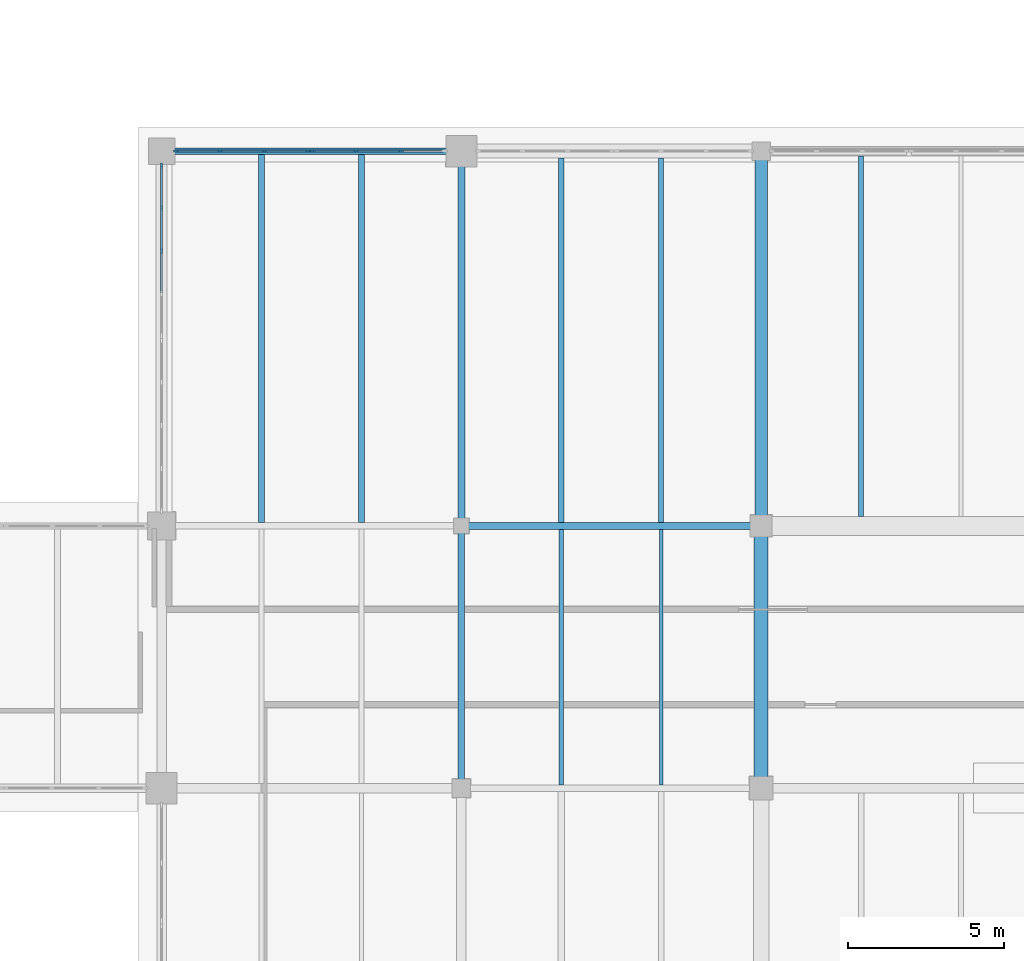
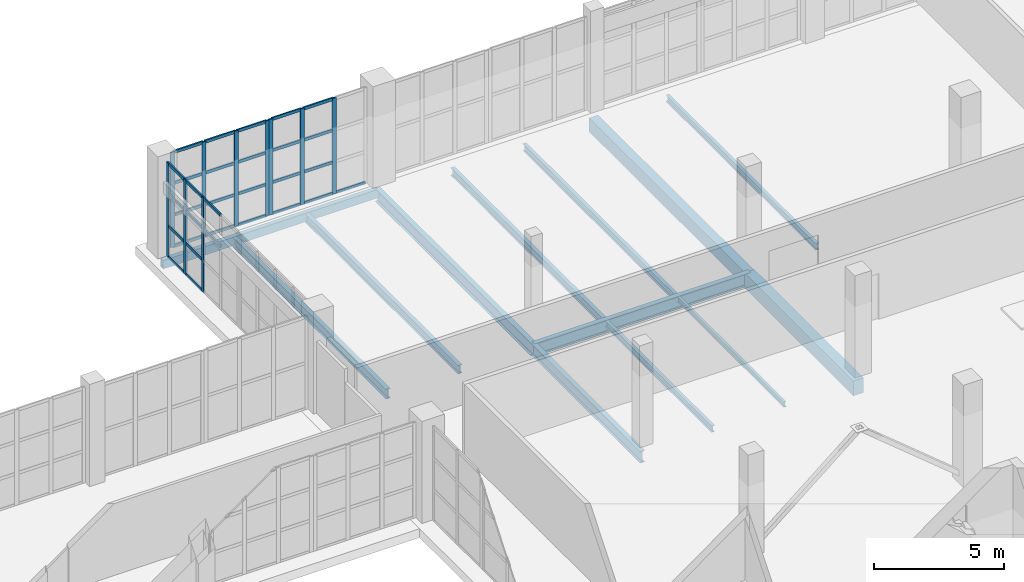
# One storey, part 23 of 121: 41 members, 13 beams, 3 elements without a shape of their own.
"""IFC4 building model written with IfcOpenShell, lengths in metres."""

from ifc_helpers import new_model, si_unit, direction, frame, origin, origin_2d, place, context, subcontext, project, spatial, rectangle, hollow_rectangle, i_section, extrude, material, layer, layer_set, material_profile, profile_set, type_object, element, aggregate, save


model = new_model("IFC4")

# Units and contexts
model_context = context("Model", 3, precision=1e-05, world=origin(), true_north=direction((0.0, 1.0)))
body_context = subcontext(model_context, "Body", "Model", "MODEL_VIEW")
ifc_project = project(units=[si_unit("LENGTHUNIT", "METRE"), si_unit("AREAUNIT", "SQUARE_METRE"), si_unit("VOLUMEUNIT", "CUBIC_METRE"), si_unit("PLANEANGLEUNIT", "RADIAN"), si_unit("MASSUNIT", "GRAM", prefix="KILO")], contexts=[model_context])

# Site, building, storey
site_placement = place(None, origin())
site = spatial("IfcSite", under=ifc_project, at=site_placement, CompositionType="ELEMENT")
building_placement = place(site_placement, origin())
building = spatial("IfcBuilding", under=site, at=building_placement, Name="Zereglee Splitstone Museum", CompositionType="ELEMENT")
storey_placement = place(building_placement, origin())
storey = spatial("IfcBuildingStorey", under=building, at=storey_placement, Name="L00", CompositionType="ELEMENT", Elevation=0.0)

# Beams
ifc_material_1 = material(Name="Concrete C40/50", Category="concrete")
ifc_material_profile_1 = material_profile(ifc_material_1, rectangle(XDim=0.39990234375, YDim=0.64990234375, at=origin_2d()), Name="RC 400x650")
ifc_profile_set_1 = profile_set([ifc_material_profile_1], Name="Concrete C40/50")
beam_type_1 = type_object("IfcBeamType", Name="BG-04", PredefinedType="BEAM", material=ifc_profile_set_1)
beam_1_placement = place(storey_placement, frame((97.199951171875, 38.39990234375, -0.7451171875), z_axis=(0.0, 1.0, 0.0), x_axis=(-1.0, 0.0, 0.0)))
element("IfcBeam", 1, at=beam_1_placement, inside=storey, type_object=beam_type_1, Name="Primary Girder L00 12 (38.4-50.4)", PredefinedType="BEAM", context=body_context, shape_type="SweptSolid", body=[
    extrude(rectangle(XDim=0.39990234375, YDim=0.64990234375, at=origin_2d()), origin(), (0.0, 0.0, 1.0), 12.0),
])
ifc_material_profile_2 = material_profile(ifc_material_1, rectangle(XDim=0.449951171875, YDim=0.699951171875, at=origin_2d()), Name="RC 450x700")
ifc_profile_set_2 = profile_set([ifc_material_profile_2], Name="Concrete C40/50")
beam_type_2 = type_object("IfcBeamType", Name="BG-03", PredefinedType="BEAM", material=ifc_profile_set_2)
beam_2_placement = place(storey_placement, frame((97.199951171875, 30.0, -0.77001953125), z_axis=(0.0, 1.0, 0.0), x_axis=(-1.0, 0.0, 0.0)))
element("IfcBeam", 2, at=beam_2_placement, inside=storey, type_object=beam_type_2, Name="Primary Girder L00 12 (30.0-38.4)", PredefinedType="BEAM", context=body_context, shape_type="SweptSolid", body=[
    extrude(rectangle(XDim=0.449951171875, YDim=0.699951171875, at=origin_2d()), origin(), (0.0, 0.0, 1.0), 8.39990234375),
])

# Curtain wall, members
ifc_material_2 = material(Name="Triple-glazed low-E argon glass and bronze-anodised aluminium", Category="aluminium")
ifc_layer_1 = layer(ifc_material_2, 0.179931640625)
ifc_layer_set_1 = layer_set([ifc_layer_1], Name="Triple-glazed low-E argon glass and bronze-anodised aluminium")
curtain_wall_type_1 = type_object("IfcCurtainWallType", Name="CW-0429-450", PredefinedType="USERDEFINED", material=ifc_layer_set_1)
curtain_wall_1_placement = place(storey_placement, origin())
curtain_wall_1 = element("IfcCurtainWall", 3, at=curtain_wall_1_placement, inside=storey, type_object=curtain_wall_type_1, Name="Glazed Curtain Wall CW-0429-450 (L00)", ObjectType="GLAZED CURTAIN WALL", PredefinedType="USERDEFINED")
ifc_material_3 = material(Name="Thermally broken bronze-anodised aluminium", Category="aluminium")
ifc_material_profile_3 = material_profile(ifc_material_3, rectangle(XDim=0.06494140625, YDim=0.179931640625, at=origin_2d()), Name="CW MULL 65x180")
ifc_profile_set_3 = profile_set([ifc_material_profile_3], Name="Thermally broken bronze-anodised aluminium")
member_type_1 = type_object("IfcMemberType", Name="CWM-01", PredefinedType="MULLION", material=ifc_profile_set_3)
member_1_placement = place(storey_placement, frame((85.662109375, 50.39990234375, 0.0), z_axis=(0.0, 0.0, 1.0), x_axis=(0.0, -1.0, 0.0)))
member_1 = element("IfcMember", 4, at=member_1_placement, type_object=member_type_1, Name="CW-0429-450 mullion 2", PredefinedType="MULLION", context=body_context, shape_type="SweptSolid", body=[
    extrude(rectangle(XDim=0.06494140625, YDim=0.179931640625, at=origin_2d()), origin(), (0.0, 0.0, 1.0), 4.5),
])
member_2_placement = place(storey_placement, frame((84.232421875, 50.39990234375, 0.0), z_axis=(0.0, 0.0, 1.0), x_axis=(0.0, -1.0, 0.0)))
member_2 = element("IfcMember", 5, at=member_2_placement, type_object=member_type_1, Name="CW-0429-450 mullion 3", PredefinedType="MULLION", context=body_context, shape_type="SweptSolid", body=[
    extrude(rectangle(XDim=0.06494140625, YDim=0.179931640625, at=origin_2d()), origin(), (0.0, 0.0, 1.0), 4.5),
])
member_3_placement = place(storey_placement, frame((82.8349609375, 50.39990234375, 0.0), z_axis=(0.0, 0.0, 1.0), x_axis=(0.0, -1.0, 0.0)))
member_3 = element("IfcMember", 6, at=member_3_placement, type_object=member_type_1, Name="CW-0429-450 mullion 4", PredefinedType="MULLION", context=body_context, shape_type="SweptSolid", body=[
    extrude(rectangle(XDim=0.06494140625, YDim=0.179931640625, at=origin_2d()), origin(), (0.0, 0.0, 1.0), 4.5),
])

ifc_layer_2 = layer(ifc_material_2, 0.179931640625)
ifc_layer_set_2 = layer_set([ifc_layer_2], Name="Triple-glazed low-E argon glass and bronze-anodised aluminium")
curtain_wall_type_2 = type_object("IfcCurtainWallType", Name="CW-0429-448", PredefinedType="USERDEFINED", material=ifc_layer_set_2)
curtain_wall_2_placement = place(storey_placement, origin())
curtain_wall_2 = element("IfcCurtainWall", 7, at=curtain_wall_2_placement, inside=storey, type_object=curtain_wall_type_2, Name="Glazed Curtain Wall CW-0429-448 (L00)", ObjectType="GLAZED CURTAIN WALL", PredefinedType="USERDEFINED")
member_4_placement = place(storey_placement, frame((82.68994140625, 50.39990234375, 0.0), z_axis=(0.0, 0.0, 1.0), x_axis=(0.0, -1.0, 0.0)))
member_4 = element("IfcMember", 8, at=member_4_placement, type_object=member_type_1, Name="CW-0429-448 mullion 1", PredefinedType="MULLION", context=body_context, shape_type="SweptSolid", body=[
    extrude(rectangle(XDim=0.06494140625, YDim=0.179931640625, at=origin_2d()), origin(), (0.0, 0.0, 1.0), 4.47998046875),
])
member_5_placement = place(storey_placement, frame((81.292724609375, 50.39990234375, 0.0), z_axis=(0.0, 0.0, 1.0), x_axis=(0.0, -1.0, 0.0)))
member_5 = element("IfcMember", 9, at=member_5_placement, type_object=member_type_1, Name="CW-0429-448 mullion 2", PredefinedType="MULLION", context=body_context, shape_type="SweptSolid", body=[
    extrude(rectangle(XDim=0.06494140625, YDim=0.179931640625, at=origin_2d()), origin(), (0.0, 0.0, 1.0), 4.47998046875),
])
member_6_placement = place(storey_placement, frame((79.86279296875, 50.39990234375, 0.0), z_axis=(0.0, 0.0, 1.0), x_axis=(0.0, -1.0, 0.0)))
member_6 = element("IfcMember", 10, at=member_6_placement, type_object=member_type_1, Name="CW-0429-448 mullion 3", PredefinedType="MULLION", context=body_context, shape_type="SweptSolid", body=[
    extrude(rectangle(XDim=0.06494140625, YDim=0.179931640625, at=origin_2d()), origin(), (0.0, 0.0, 1.0), 4.47998046875),
])
member_7_placement = place(storey_placement, frame((78.465576171875, 50.39990234375, 0.0), z_axis=(0.0, 0.0, 1.0), x_axis=(0.0, -1.0, 0.0)))
member_7 = element("IfcMember", 11, at=member_7_placement, type_object=member_type_1, Name="CW-0429-448 mullion 4", PredefinedType="MULLION", context=body_context, shape_type="SweptSolid", body=[
    extrude(rectangle(XDim=0.06494140625, YDim=0.179931640625, at=origin_2d()), origin(), (0.0, 0.0, 1.0), 4.47998046875),
])

ifc_layer_3 = layer(ifc_material_2, 0.179931640625)
ifc_layer_set_3 = layer_set([ifc_layer_3], Name="Triple-glazed low-E argon glass and bronze-anodised aluminium")
curtain_wall_type_3 = type_object("IfcCurtainWallType", Name="CW-0551-444", PredefinedType="USERDEFINED", material=ifc_layer_set_3)
curtain_wall_3_placement = place(storey_placement, origin())
curtain_wall_3 = element("IfcCurtainWall", 12, at=curtain_wall_3_placement, inside=storey, type_object=curtain_wall_type_3, Name="Glazed Curtain Wall CW-0551-444 (L00)", ObjectType="GLAZED CURTAIN WALL", PredefinedType="USERDEFINED")
member_8_placement = place(storey_placement, frame((78.0, 49.9345703125, 0.0), z_axis=(0.0, 0.0, 1.0), x_axis=(1.0, 0.0, 0.0)))
member_8 = element("IfcMember", 13, at=member_8_placement, type_object=member_type_1, Name="CW-0551-444 mullion 1", PredefinedType="MULLION", context=body_context, shape_type="SweptSolid", body=[
    extrude(rectangle(XDim=0.06494140625, YDim=0.179931640625, at=origin_2d()), origin(), (0.0, 0.0, 1.0), 4.43994140625),
])
member_9_placement = place(storey_placement, frame((78.0, 48.58837890625, 0.0), z_axis=(0.0, 0.0, 1.0), x_axis=(1.0, 0.0, 0.0)))
member_9 = element("IfcMember", 14, at=member_9_placement, type_object=member_type_1, Name="CW-0551-444 mullion 2", PredefinedType="MULLION", context=body_context, shape_type="SweptSolid", body=[
    extrude(rectangle(XDim=0.06494140625, YDim=0.179931640625, at=origin_2d()), origin(), (0.0, 0.0, 1.0), 4.43994140625),
])
member_10_placement = place(storey_placement, frame((78.0, 47.209716796875, 0.0), z_axis=(0.0, 0.0, 1.0), x_axis=(1.0, 0.0, 0.0)))
member_10 = element("IfcMember", 15, at=member_10_placement, type_object=member_type_1, Name="CW-0551-444 mullion 3", PredefinedType="MULLION", context=body_context, shape_type="SweptSolid", body=[
    extrude(rectangle(XDim=0.06494140625, YDim=0.179931640625, at=origin_2d()), origin(), (0.0, 0.0, 1.0), 4.43994140625),
])

# Member
ifc_material_profile_4 = material_profile(ifc_material_3, rectangle(XDim=0.06494140625, YDim=0.139892578125, at=origin_2d()), Name="CW TRAN 65x140")
ifc_profile_set_4 = profile_set([ifc_material_profile_4], Name="Thermally broken bronze-anodised aluminium")
member_type_2 = type_object("IfcMemberType", Name="CWT-01", PredefinedType="USERDEFINED", material=ifc_profile_set_4)
member_11_placement = place(storey_placement, frame((87.027099609375, 50.39990234375, 0.032470703125), z_axis=(-1.0, 0.0, 0.0), x_axis=(0.0, -1.0, 0.0)))
member_11 = element("IfcMember", 16, at=member_11_placement, type_object=member_type_2, Name="CW-0429-450 transom 1.1", ObjectType="TRANSOM", PredefinedType="USERDEFINED", context=body_context, shape_type="SweptSolid", body=[
    extrude(rectangle(XDim=0.06494140625, YDim=0.139892578125, at=origin_2d()), origin(), (0.0, 0.0, 1.0), 1.33251953125),
])

member_12_placement = place(storey_placement, frame((85.629638671875, 50.39990234375, 0.032470703125), z_axis=(-1.0, 0.0, 0.0), x_axis=(0.0, -1.0, 0.0)))
member_12 = element("IfcMember", 17, at=member_12_placement, type_object=member_type_2, Name="CW-0429-450 transom 2.1", ObjectType="TRANSOM", PredefinedType="USERDEFINED", context=body_context, shape_type="SweptSolid", body=[
    extrude(rectangle(XDim=0.06494140625, YDim=0.139892578125, at=origin_2d()), origin(), (0.0, 0.0, 1.0), 1.36474609375),
])

member_13_placement = place(storey_placement, frame((85.629638671875, 50.39990234375, 1.5), z_axis=(-1.0, 0.0, 0.0), x_axis=(0.0, -1.0, 0.0)))
member_13 = element("IfcMember", 18, at=member_13_placement, type_object=member_type_2, Name="CW-0429-450 transom 2.2", ObjectType="TRANSOM", PredefinedType="USERDEFINED", context=body_context, shape_type="SweptSolid", body=[
    extrude(rectangle(XDim=0.06494140625, YDim=0.139892578125, at=origin_2d()), origin(), (0.0, 0.0, 1.0), 1.36474609375),
])

member_14_placement = place(storey_placement, frame((85.629638671875, 50.39990234375, 3.0), z_axis=(-1.0, 0.0, 0.0), x_axis=(0.0, -1.0, 0.0)))
member_14 = element("IfcMember", 19, at=member_14_placement, type_object=member_type_2, Name="CW-0429-450 transom 2.3", ObjectType="TRANSOM", PredefinedType="USERDEFINED", context=body_context, shape_type="SweptSolid", body=[
    extrude(rectangle(XDim=0.06494140625, YDim=0.139892578125, at=origin_2d()), origin(), (0.0, 0.0, 1.0), 1.36474609375),
])

member_15_placement = place(storey_placement, frame((85.629638671875, 50.39990234375, 4.467529296875), z_axis=(-1.0, 0.0, 0.0), x_axis=(0.0, -1.0, 0.0)))
member_15 = element("IfcMember", 20, at=member_15_placement, type_object=member_type_2, Name="CW-0429-450 transom 2.4", ObjectType="TRANSOM", PredefinedType="USERDEFINED", context=body_context, shape_type="SweptSolid", body=[
    extrude(rectangle(XDim=0.06494140625, YDim=0.139892578125, at=origin_2d()), origin(), (0.0, 0.0, 1.0), 1.36474609375),
])

member_16_placement = place(storey_placement, frame((84.199951171875, 50.39990234375, 0.032470703125), z_axis=(-1.0, 0.0, 0.0), x_axis=(0.0, -1.0, 0.0)))
member_16 = element("IfcMember", 21, at=member_16_placement, type_object=member_type_2, Name="CW-0429-450 transom 3.1", ObjectType="TRANSOM", PredefinedType="USERDEFINED", context=body_context, shape_type="SweptSolid", body=[
    extrude(rectangle(XDim=0.06494140625, YDim=0.139892578125, at=origin_2d()), origin(), (0.0, 0.0, 1.0), 1.33251953125),
])

member_17_placement = place(storey_placement, frame((84.199951171875, 50.39990234375, 1.5), z_axis=(-1.0, 0.0, 0.0), x_axis=(0.0, -1.0, 0.0)))
member_17 = element("IfcMember", 22, at=member_17_placement, type_object=member_type_2, Name="CW-0429-450 transom 3.2", ObjectType="TRANSOM", PredefinedType="USERDEFINED", context=body_context, shape_type="SweptSolid", body=[
    extrude(rectangle(XDim=0.06494140625, YDim=0.139892578125, at=origin_2d()), origin(), (0.0, 0.0, 1.0), 1.33251953125),
])

member_18_placement = place(storey_placement, frame((84.199951171875, 50.39990234375, 3.0), z_axis=(-1.0, 0.0, 0.0), x_axis=(0.0, -1.0, 0.0)))
member_18 = element("IfcMember", 23, at=member_18_placement, type_object=member_type_2, Name="CW-0429-450 transom 3.3", ObjectType="TRANSOM", PredefinedType="USERDEFINED", context=body_context, shape_type="SweptSolid", body=[
    extrude(rectangle(XDim=0.06494140625, YDim=0.139892578125, at=origin_2d()), origin(), (0.0, 0.0, 1.0), 1.33251953125),
])

member_19_placement = place(storey_placement, frame((84.199951171875, 50.39990234375, 4.467529296875), z_axis=(-1.0, 0.0, 0.0), x_axis=(0.0, -1.0, 0.0)))
member_19 = element("IfcMember", 24, at=member_19_placement, type_object=member_type_2, Name="CW-0429-450 transom 3.4", ObjectType="TRANSOM", PredefinedType="USERDEFINED", context=body_context, shape_type="SweptSolid", body=[
    extrude(rectangle(XDim=0.06494140625, YDim=0.139892578125, at=origin_2d()), origin(), (0.0, 0.0, 1.0), 1.33251953125),
])

aggregate(curtain_wall_1, [member_1, member_2, member_3, member_11, member_12, member_13, member_14, member_15, member_16, member_17, member_18, member_19])

member_20_placement = place(storey_placement, frame((82.657470703125, 50.39990234375, 0.032470703125), z_axis=(-1.0, 0.0, 0.0), x_axis=(0.0, -1.0, 0.0)))
member_20 = element("IfcMember", 25, at=member_20_placement, type_object=member_type_2, Name="CW-0429-448 transom 1.1", ObjectType="TRANSOM", PredefinedType="USERDEFINED", context=body_context, shape_type="SweptSolid", body=[
    extrude(rectangle(XDim=0.06494140625, YDim=0.139892578125, at=origin_2d()), origin(), (0.0, 0.0, 1.0), 1.332275390625),
])

member_21_placement = place(storey_placement, frame((82.657470703125, 50.39990234375, 1.493408203125), z_axis=(-1.0, 0.0, 0.0), x_axis=(0.0, -1.0, 0.0)))
member_21 = element("IfcMember", 26, at=member_21_placement, type_object=member_type_2, Name="CW-0429-448 transom 1.2", ObjectType="TRANSOM", PredefinedType="USERDEFINED", context=body_context, shape_type="SweptSolid", body=[
    extrude(rectangle(XDim=0.06494140625, YDim=0.139892578125, at=origin_2d()), origin(), (0.0, 0.0, 1.0), 1.332275390625),
])

member_22_placement = place(storey_placement, frame((82.657470703125, 50.39990234375, 2.98681640625), z_axis=(-1.0, 0.0, 0.0), x_axis=(0.0, -1.0, 0.0)))
member_22 = element("IfcMember", 27, at=member_22_placement, type_object=member_type_2, Name="CW-0429-448 transom 1.3", ObjectType="TRANSOM", PredefinedType="USERDEFINED", context=body_context, shape_type="SweptSolid", body=[
    extrude(rectangle(XDim=0.06494140625, YDim=0.139892578125, at=origin_2d()), origin(), (0.0, 0.0, 1.0), 1.332275390625),
])

member_23_placement = place(storey_placement, frame((82.657470703125, 50.39990234375, 4.447509765625), z_axis=(-1.0, 0.0, 0.0), x_axis=(0.0, -1.0, 0.0)))
member_23 = element("IfcMember", 28, at=member_23_placement, type_object=member_type_2, Name="CW-0429-448 transom 1.4", ObjectType="TRANSOM", PredefinedType="USERDEFINED", context=body_context, shape_type="SweptSolid", body=[
    extrude(rectangle(XDim=0.06494140625, YDim=0.139892578125, at=origin_2d()), origin(), (0.0, 0.0, 1.0), 1.332275390625),
])

member_24_placement = place(storey_placement, frame((81.26025390625, 50.39990234375, 0.032470703125), z_axis=(-1.0, 0.0, 0.0), x_axis=(0.0, -1.0, 0.0)))
member_24 = element("IfcMember", 29, at=member_24_placement, type_object=member_type_2, Name="CW-0429-448 transom 2.1", ObjectType="TRANSOM", PredefinedType="USERDEFINED", context=body_context, shape_type="SweptSolid", body=[
    extrude(rectangle(XDim=0.06494140625, YDim=0.139892578125, at=origin_2d()), origin(), (0.0, 0.0, 1.0), 1.364990234375),
])

member_25_placement = place(storey_placement, frame((81.26025390625, 50.39990234375, 1.493408203125), z_axis=(-1.0, 0.0, 0.0), x_axis=(0.0, -1.0, 0.0)))
member_25 = element("IfcMember", 30, at=member_25_placement, type_object=member_type_2, Name="CW-0429-448 transom 2.2", ObjectType="TRANSOM", PredefinedType="USERDEFINED", context=body_context, shape_type="SweptSolid", body=[
    extrude(rectangle(XDim=0.06494140625, YDim=0.139892578125, at=origin_2d()), origin(), (0.0, 0.0, 1.0), 1.364990234375),
])

member_26_placement = place(storey_placement, frame((81.26025390625, 50.39990234375, 2.98681640625), z_axis=(-1.0, 0.0, 0.0), x_axis=(0.0, -1.0, 0.0)))
member_26 = element("IfcMember", 31, at=member_26_placement, type_object=member_type_2, Name="CW-0429-448 transom 2.3", ObjectType="TRANSOM", PredefinedType="USERDEFINED", context=body_context, shape_type="SweptSolid", body=[
    extrude(rectangle(XDim=0.06494140625, YDim=0.139892578125, at=origin_2d()), origin(), (0.0, 0.0, 1.0), 1.364990234375),
])

member_27_placement = place(storey_placement, frame((81.26025390625, 50.39990234375, 4.447509765625), z_axis=(-1.0, 0.0, 0.0), x_axis=(0.0, -1.0, 0.0)))
member_27 = element("IfcMember", 32, at=member_27_placement, type_object=member_type_2, Name="CW-0429-448 transom 2.4", ObjectType="TRANSOM", PredefinedType="USERDEFINED", context=body_context, shape_type="SweptSolid", body=[
    extrude(rectangle(XDim=0.06494140625, YDim=0.139892578125, at=origin_2d()), origin(), (0.0, 0.0, 1.0), 1.364990234375),
])

member_28_placement = place(storey_placement, frame((79.830322265625, 50.39990234375, 0.032470703125), z_axis=(-1.0, 0.0, 0.0), x_axis=(0.0, -1.0, 0.0)))
member_28 = element("IfcMember", 33, at=member_28_placement, type_object=member_type_2, Name="CW-0429-448 transom 3.1", ObjectType="TRANSOM", PredefinedType="USERDEFINED", context=body_context, shape_type="SweptSolid", body=[
    extrude(rectangle(XDim=0.06494140625, YDim=0.139892578125, at=origin_2d()), origin(), (0.0, 0.0, 1.0), 1.332275390625),
])

member_29_placement = place(storey_placement, frame((79.830322265625, 50.39990234375, 1.493408203125), z_axis=(-1.0, 0.0, 0.0), x_axis=(0.0, -1.0, 0.0)))
member_29 = element("IfcMember", 34, at=member_29_placement, type_object=member_type_2, Name="CW-0429-448 transom 3.2", ObjectType="TRANSOM", PredefinedType="USERDEFINED", context=body_context, shape_type="SweptSolid", body=[
    extrude(rectangle(XDim=0.06494140625, YDim=0.139892578125, at=origin_2d()), origin(), (0.0, 0.0, 1.0), 1.332275390625),
])

member_30_placement = place(storey_placement, frame((79.830322265625, 50.39990234375, 2.98681640625), z_axis=(-1.0, 0.0, 0.0), x_axis=(0.0, -1.0, 0.0)))
member_30 = element("IfcMember", 35, at=member_30_placement, type_object=member_type_2, Name="CW-0429-448 transom 3.3", ObjectType="TRANSOM", PredefinedType="USERDEFINED", context=body_context, shape_type="SweptSolid", body=[
    extrude(rectangle(XDim=0.06494140625, YDim=0.139892578125, at=origin_2d()), origin(), (0.0, 0.0, 1.0), 1.332275390625),
])

member_31_placement = place(storey_placement, frame((79.830322265625, 50.39990234375, 4.447509765625), z_axis=(-1.0, 0.0, 0.0), x_axis=(0.0, -1.0, 0.0)))
member_31 = element("IfcMember", 36, at=member_31_placement, type_object=member_type_2, Name="CW-0429-448 transom 3.4", ObjectType="TRANSOM", PredefinedType="USERDEFINED", context=body_context, shape_type="SweptSolid", body=[
    extrude(rectangle(XDim=0.06494140625, YDim=0.139892578125, at=origin_2d()), origin(), (0.0, 0.0, 1.0), 1.332275390625),
])

aggregate(curtain_wall_2, [member_4, member_5, member_6, member_7, member_20, member_21, member_22, member_23, member_24, member_25, member_26, member_27, member_28, member_29, member_30, member_31])

member_32_placement = place(storey_placement, frame((78.0, 49.902099609375, 0.032470703125), z_axis=(0.0, -1.0, 0.0), x_axis=(1.0, 0.0, 0.0)))
member_32 = element("IfcMember", 37, at=member_32_placement, type_object=member_type_2, Name="CW-0551-444 transom 1.1", ObjectType="TRANSOM", PredefinedType="USERDEFINED", context=body_context, shape_type="SweptSolid", body=[
    extrude(rectangle(XDim=0.06494140625, YDim=0.139892578125, at=origin_2d()), origin(), (0.0, 0.0, 1.0), 1.28125),
])

member_33_placement = place(storey_placement, frame((78.0, 49.902099609375, 1.47998046875), z_axis=(0.0, -1.0, 0.0), x_axis=(1.0, 0.0, 0.0)))
member_33 = element("IfcMember", 38, at=member_33_placement, type_object=member_type_2, Name="CW-0551-444 transom 1.2", ObjectType="TRANSOM", PredefinedType="USERDEFINED", context=body_context, shape_type="SweptSolid", body=[
    extrude(rectangle(XDim=0.06494140625, YDim=0.139892578125, at=origin_2d()), origin(), (0.0, 0.0, 1.0), 1.28125),
])

member_34_placement = place(storey_placement, frame((78.0, 49.902099609375, 2.9599609375), z_axis=(0.0, -1.0, 0.0), x_axis=(1.0, 0.0, 0.0)))
member_34 = element("IfcMember", 39, at=member_34_placement, type_object=member_type_2, Name="CW-0551-444 transom 1.3", ObjectType="TRANSOM", PredefinedType="USERDEFINED", context=body_context, shape_type="SweptSolid", body=[
    extrude(rectangle(XDim=0.06494140625, YDim=0.139892578125, at=origin_2d()), origin(), (0.0, 0.0, 1.0), 1.28125),
])

member_35_placement = place(storey_placement, frame((78.0, 49.902099609375, 4.407470703125), z_axis=(0.0, -1.0, 0.0), x_axis=(1.0, 0.0, 0.0)))
member_35 = element("IfcMember", 40, at=member_35_placement, type_object=member_type_2, Name="CW-0551-444 transom 1.4", ObjectType="TRANSOM", PredefinedType="USERDEFINED", context=body_context, shape_type="SweptSolid", body=[
    extrude(rectangle(XDim=0.06494140625, YDim=0.139892578125, at=origin_2d()), origin(), (0.0, 0.0, 1.0), 1.28125),
])

member_36_placement = place(storey_placement, frame((78.0, 48.555908203125, 0.032470703125), z_axis=(0.0, -1.0, 0.0), x_axis=(1.0, 0.0, 0.0)))
member_36 = element("IfcMember", 41, at=member_36_placement, type_object=member_type_2, Name="CW-0551-444 transom 2.1", ObjectType="TRANSOM", PredefinedType="USERDEFINED", context=body_context, shape_type="SweptSolid", body=[
    extrude(rectangle(XDim=0.06494140625, YDim=0.139892578125, at=origin_2d()), origin(), (0.0, 0.0, 1.0), 1.313720703125),
])

member_37_placement = place(storey_placement, frame((78.0, 48.555908203125, 1.47998046875), z_axis=(0.0, -1.0, 0.0), x_axis=(1.0, 0.0, 0.0)))
member_37 = element("IfcMember", 42, at=member_37_placement, type_object=member_type_2, Name="CW-0551-444 transom 2.2", ObjectType="TRANSOM", PredefinedType="USERDEFINED", context=body_context, shape_type="SweptSolid", body=[
    extrude(rectangle(XDim=0.06494140625, YDim=0.139892578125, at=origin_2d()), origin(), (0.0, 0.0, 1.0), 1.313720703125),
])

member_38_placement = place(storey_placement, frame((78.0, 48.555908203125, 2.9599609375), z_axis=(0.0, -1.0, 0.0), x_axis=(1.0, 0.0, 0.0)))
member_38 = element("IfcMember", 43, at=member_38_placement, type_object=member_type_2, Name="CW-0551-444 transom 2.3", ObjectType="TRANSOM", PredefinedType="USERDEFINED", context=body_context, shape_type="SweptSolid", body=[
    extrude(rectangle(XDim=0.06494140625, YDim=0.139892578125, at=origin_2d()), origin(), (0.0, 0.0, 1.0), 1.313720703125),
])

member_39_placement = place(storey_placement, frame((78.0, 48.555908203125, 4.407470703125), z_axis=(0.0, -1.0, 0.0), x_axis=(1.0, 0.0, 0.0)))
member_39 = element("IfcMember", 44, at=member_39_placement, type_object=member_type_2, Name="CW-0551-444 transom 2.4", ObjectType="TRANSOM", PredefinedType="USERDEFINED", context=body_context, shape_type="SweptSolid", body=[
    extrude(rectangle(XDim=0.06494140625, YDim=0.139892578125, at=origin_2d()), origin(), (0.0, 0.0, 1.0), 1.313720703125),
])

member_40_placement = place(storey_placement, frame((78.0, 47.17724609375, 2.9599609375), z_axis=(0.0, -1.0, 0.0), x_axis=(1.0, 0.0, 0.0)))
member_40 = element("IfcMember", 45, at=member_40_placement, type_object=member_type_2, Name="CW-0551-444 transom 3.3", ObjectType="TRANSOM", PredefinedType="USERDEFINED", context=body_context, shape_type="SweptSolid", body=[
    extrude(rectangle(XDim=0.06494140625, YDim=0.139892578125, at=origin_2d()), origin(), (0.0, 0.0, 1.0), 1.313720703125),
])

member_41_placement = place(storey_placement, frame((78.0, 47.17724609375, 4.407470703125), z_axis=(0.0, -1.0, 0.0), x_axis=(1.0, 0.0, 0.0)))
member_41 = element("IfcMember", 46, at=member_41_placement, type_object=member_type_2, Name="CW-0551-444 transom 3.4", ObjectType="TRANSOM", PredefinedType="USERDEFINED", context=body_context, shape_type="SweptSolid", body=[
    extrude(rectangle(XDim=0.06494140625, YDim=0.139892578125, at=origin_2d()), origin(), (0.0, 0.0, 1.0), 1.313720703125),
])

aggregate(curtain_wall_3, [member_8, member_9, member_10, member_32, member_33, member_34, member_35, member_36, member_37, member_38, member_39, member_40, member_41])

# Beams
ifc_material_4 = material(Name="Steel S355J2", Category="steel")
ifc_material_profile_5 = material_profile(ifc_material_4, i_section(OverallWidth=0.2099609375, OverallDepth=0.550048828125, WebThickness=0.010986328125, FlangeThickness=0.01708984375, FilletRadius=0.02392578125, at=origin_2d()), Name="IPE 550")
ifc_profile_set_5 = profile_set([ifc_material_profile_5], Name="Steel S355J2")
beam_type_3 = type_object("IfcBeamType", Name="BG-16", PredefinedType="BEAM", material=ifc_profile_set_5)
beam_3_placement = place(storey_placement, frame((87.60009765625, 30.0, -0.695068359375), z_axis=(0.0, 1.0, 0.0), x_axis=(-1.0, 0.0, 0.0)))
element("IfcBeam", 47, at=beam_3_placement, inside=storey, type_object=beam_type_3, Name="Primary Girder L00 11 (30.0-38.4)", PredefinedType="BEAM", context=body_context, shape_type="SweptSolid", body=[
    extrude(i_section(OverallWidth=0.2099609375, OverallDepth=0.550048828125, WebThickness=0.010986328125, FlangeThickness=0.01708984375, FilletRadius=0.02392578125, at=origin_2d()), origin(), (0.0, 0.0, 1.0), 8.39990234375),
])
ifc_material_profile_6 = material_profile(ifc_material_4, i_section(OverallWidth=0.219970703125, OverallDepth=0.60009765625, WebThickness=0.011962890625, FlangeThickness=0.01904296875, FilletRadius=0.02392578125, at=origin_2d()), Name="IPE 600")
ifc_profile_set_6 = profile_set([ifc_material_profile_6], Name="Steel S355J2")
beam_type_4 = type_object("IfcBeamType", Name="BG-15", PredefinedType="BEAM", material=ifc_profile_set_6)
beam_4_placement = place(storey_placement, frame((87.60009765625, 38.39990234375, -0.719970703125), z_axis=(1.0, 0.0, 0.0), x_axis=(0.0, 1.0, 0.0)))
element("IfcBeam", 48, at=beam_4_placement, inside=storey, type_object=beam_type_4, Name="Primary Girder L00 E (87.6-97.2)", PredefinedType="BEAM", context=body_context, shape_type="SweptSolid", body=[
    extrude(i_section(OverallWidth=0.219970703125, OverallDepth=0.60009765625, WebThickness=0.011962890625, FlangeThickness=0.01904296875, FilletRadius=0.02392578125, at=origin_2d()), origin(), (0.0, 0.0, 1.0), 9.599853515625),
])
beam_5_placement = place(storey_placement, frame((87.60009765625, 38.39990234375, -0.719970703125), z_axis=(0.0, 1.0, 0.0), x_axis=(-1.0, 0.0, 0.0)))
element("IfcBeam", 49, at=beam_5_placement, inside=storey, type_object=beam_type_4, Name="Primary Girder L00 11 (38.4-50.4)", PredefinedType="BEAM", context=body_context, shape_type="SweptSolid", body=[
    extrude(i_section(OverallWidth=0.219970703125, OverallDepth=0.60009765625, WebThickness=0.011962890625, FlangeThickness=0.01904296875, FilletRadius=0.02392578125, at=origin_2d()), origin(), (0.0, 0.0, 1.0), 12.0),
])
ifc_material_profile_7 = material_profile(ifc_material_4, i_section(OverallWidth=0.1201171875, OverallDepth=0.239990234375, WebThickness=0.006103515625, FlangeThickness=0.009765625, FilletRadius=0.014892578125, at=origin_2d()), Name="IPE 240")
ifc_profile_set_7 = profile_set([ifc_material_profile_7], Name="Steel S355J2")
beam_type_5 = type_object("IfcBeamType", Name="BJ-07", PredefinedType="JOIST", material=ifc_profile_set_7)
beam_6_placement = place(storey_placement, frame((94.0, 30.10498046875, -0.5400390625), z_axis=(0.0, 1.0, 0.0), x_axis=(-1.0, 0.0, 0.0)))
element("IfcBeam", 50, at=beam_6_placement, inside=storey, type_object=beam_type_5, Name="Secondary Floor Joist L00-0356", PredefinedType="JOIST", context=body_context, shape_type="SweptSolid", body=[
    extrude(i_section(OverallWidth=0.1201171875, OverallDepth=0.239990234375, WebThickness=0.006103515625, FlangeThickness=0.009765625, FilletRadius=0.014892578125, at=origin_2d()), origin(), (0.0, 0.0, 1.0), 8.18505859375),
])
ifc_material_profile_8 = material_profile(ifc_material_4, i_section(OverallWidth=0.14990234375, OverallDepth=0.300048828125, WebThickness=0.007080078125, FlangeThickness=0.0107421875, FilletRadius=0.014892578125, at=origin_2d()), Name="IPE 300")
ifc_profile_set_8 = profile_set([ifc_material_profile_8], Name="Steel S355J2")
beam_type_6 = type_object("IfcBeamType", Name="BJ-06", PredefinedType="JOIST", material=ifc_profile_set_8)
beam_7_placement = place(storey_placement, frame((90.800048828125, 30.10498046875, -0.570068359375), z_axis=(0.0, 1.0, 0.0), x_axis=(-1.0, 0.0, 0.0)))
element("IfcBeam", 51, at=beam_7_placement, inside=storey, type_object=beam_type_6, Name="Secondary Floor Joist L00-0355", PredefinedType="JOIST", context=body_context, shape_type="SweptSolid", body=[
    extrude(i_section(OverallWidth=0.14990234375, OverallDepth=0.300048828125, WebThickness=0.007080078125, FlangeThickness=0.0107421875, FilletRadius=0.014892578125, at=origin_2d()), origin(), (0.0, 0.0, 1.0), 8.18505859375),
])
beam_8_placement = place(storey_placement, frame((100.39990234375, 38.699951171875, -0.570068359375), z_axis=(0.0, 1.0, 0.0), x_axis=(-1.0, 0.0, 0.0)))
element("IfcBeam", 52, at=beam_8_placement, inside=storey, type_object=beam_type_6, Name="Secondary Floor Joist L00-0397", PredefinedType="JOIST", context=body_context, shape_type="SweptSolid", body=[
    extrude(i_section(OverallWidth=0.14990234375, OverallDepth=0.300048828125, WebThickness=0.007080078125, FlangeThickness=0.0107421875, FilletRadius=0.014892578125, at=origin_2d()), origin(), (0.0, 0.0, 1.0), 11.550048828125),
])
ifc_material_profile_9 = material_profile(ifc_material_4, i_section(OverallWidth=0.159912109375, OverallDepth=0.330078125, WebThickness=0.007568359375, FlangeThickness=0.011474609375, FilletRadius=0.01806640625, at=origin_2d()), Name="IPE 330")
ifc_profile_set_9 = profile_set([ifc_material_profile_9], Name="Steel S355J2")
beam_type_7 = type_object("IfcBeamType", Name="BJ-05", PredefinedType="JOIST", material=ifc_profile_set_9)
beam_9_placement = place(storey_placement, frame((94.0, 38.510009765625, -0.5849609375), z_axis=(0.0, 1.0, 0.0), x_axis=(-1.0, 0.0, 0.0)))
element("IfcBeam", 53, at=beam_9_placement, inside=storey, type_object=beam_type_7, Name="Secondary Floor Joist L00-0396", PredefinedType="JOIST", context=body_context, shape_type="SweptSolid", body=[
    extrude(i_section(OverallWidth=0.159912109375, OverallDepth=0.330078125, WebThickness=0.007568359375, FlangeThickness=0.011474609375, FilletRadius=0.01806640625, at=origin_2d()), origin(), (0.0, 0.0, 1.0), 11.6650390625),
])
ifc_material_profile_10 = material_profile(ifc_material_4, i_section(OverallWidth=0.169921875, OverallDepth=0.360107421875, WebThickness=0.008056640625, FlangeThickness=0.0126953125, FilletRadius=0.01806640625, at=origin_2d()), Name="IPE 360")
ifc_profile_set_10 = profile_set([ifc_material_profile_10], Name="Steel S355J2")
beam_type_8 = type_object("IfcBeamType", Name="BJ-04", PredefinedType="JOIST", material=ifc_profile_set_10)
beam_10_placement = place(storey_placement, frame((90.800048828125, 38.510009765625, -0.60009765625), z_axis=(0.0, 1.0, 0.0), x_axis=(-1.0, 0.0, 0.0)))
element("IfcBeam", 54, at=beam_10_placement, inside=storey, type_object=beam_type_8, Name="Secondary Floor Joist L00-0395", PredefinedType="JOIST", context=body_context, shape_type="SweptSolid", body=[
    extrude(i_section(OverallWidth=0.169921875, OverallDepth=0.360107421875, WebThickness=0.008056640625, FlangeThickness=0.0126953125, FilletRadius=0.01806640625, at=origin_2d()), origin(), (0.0, 0.0, 1.0), 11.6650390625),
])
ifc_material_profile_11 = material_profile(ifc_material_4, i_section(OverallWidth=0.179931640625, OverallDepth=0.39990234375, WebThickness=0.008544921875, FlangeThickness=0.013427734375, FilletRadius=0.02099609375, at=origin_2d()), Name="IPE 400")
ifc_profile_set_11 = profile_set([ifc_material_profile_11], Name="Steel S355J2")
beam_type_9 = type_object("IfcBeamType", Name="BJ-03", PredefinedType="JOIST", material=ifc_profile_set_11)
beam_11_placement = place(storey_placement, frame((84.39990234375, 38.5048828125, -0.6201171875), z_axis=(0.0, 1.0, 0.0), x_axis=(-1.0, 0.0, 0.0)))
element("IfcBeam", 55, at=beam_11_placement, inside=storey, type_object=beam_type_9, Name="Secondary Floor Joist L00-0394", PredefinedType="JOIST", context=body_context, shape_type="SweptSolid", body=[
    extrude(i_section(OverallWidth=0.179931640625, OverallDepth=0.39990234375, WebThickness=0.008544921875, FlangeThickness=0.013427734375, FilletRadius=0.02099609375, at=origin_2d()), origin(), (0.0, 0.0, 1.0), 11.795166015625),
])
ifc_material_profile_12 = material_profile(ifc_material_4, i_section(OverallWidth=0.18994140625, OverallDepth=0.449951171875, WebThickness=0.009521484375, FlangeThickness=0.0146484375, FilletRadius=0.02099609375, at=origin_2d()), Name="IPE 450")
ifc_profile_set_12 = profile_set([ifc_material_profile_12], Name="Steel S355J2")
beam_type_10 = type_object("IfcBeamType", Name="BJ-02", PredefinedType="JOIST", material=ifc_profile_set_12)
beam_12_placement = place(storey_placement, frame((81.199951171875, 38.5048828125, -0.64501953125), z_axis=(0.0, 1.0, 0.0), x_axis=(-1.0, 0.0, 0.0)))
element("IfcBeam", 56, at=beam_12_placement, inside=storey, type_object=beam_type_10, Name="Secondary Floor Joist L00-0393", PredefinedType="JOIST", context=body_context, shape_type="SweptSolid", body=[
    extrude(i_section(OverallWidth=0.18994140625, OverallDepth=0.449951171875, WebThickness=0.009521484375, FlangeThickness=0.0146484375, FilletRadius=0.02099609375, at=origin_2d()), origin(), (0.0, 0.0, 1.0), 11.795166015625),
])
ifc_material_5 = material(Name="Steel S355J2H", Category="steel")
ifc_material_profile_13 = material_profile(ifc_material_5, hollow_rectangle(XDim=0.199951171875, YDim=0.39990234375, WallThickness=0.01611328125, at=origin_2d()), Name="RHS 400x200x16")
ifc_profile_set_13 = profile_set([ifc_material_profile_13], Name="Steel S355J2H")
beam_type_11 = type_object("IfcBeamType", Name="SP-04", PredefinedType="SPANDREL", material=ifc_profile_set_13)
beam_13_placement = place(storey_placement, frame((78.0, 50.39990234375, -0.6201171875), z_axis=(1.0, 0.0, 0.0), x_axis=(0.0, 1.0, 0.0)))
element("IfcBeam", 57, at=beam_13_placement, inside=storey, type_object=beam_type_11, Name="Primary Girder L00 F (78.0-87.6)", PredefinedType="SPANDREL", context=body_context, shape_type="SweptSolid", body=[
    extrude(hollow_rectangle(XDim=0.199951171875, YDim=0.39990234375, WallThickness=0.01611328125, at=origin_2d()), origin(), (0.0, 0.0, 1.0), 9.60009765625),
])

save(model, "model.ifc")
